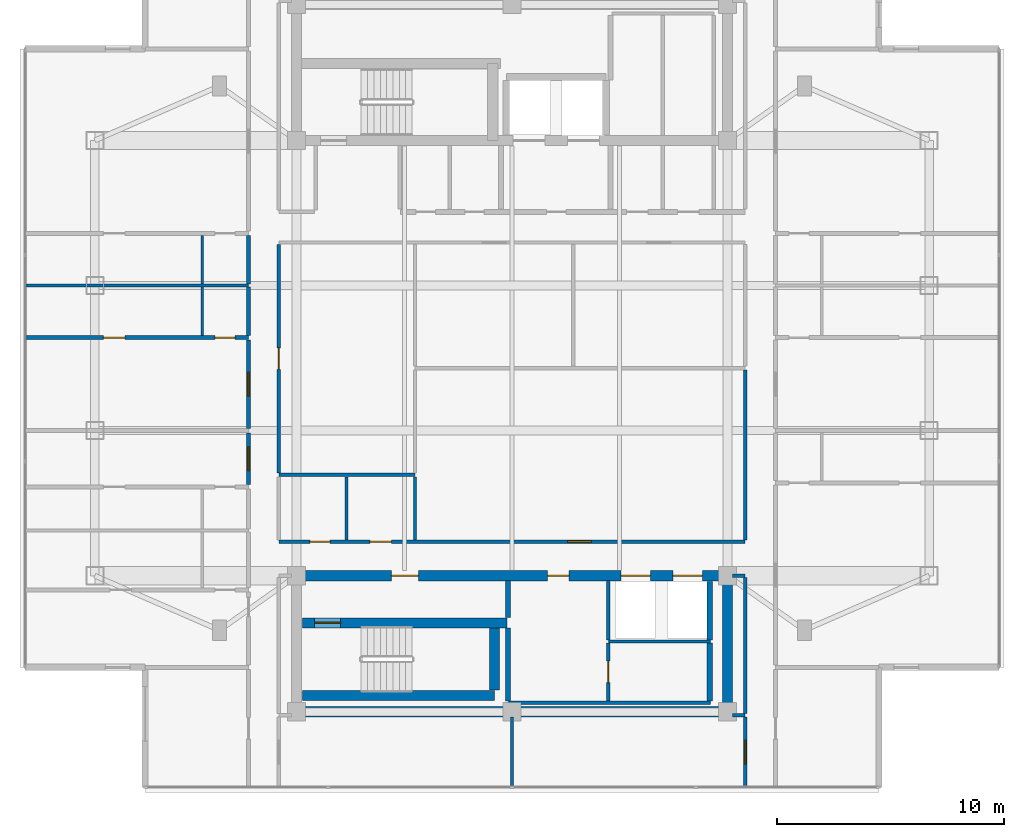
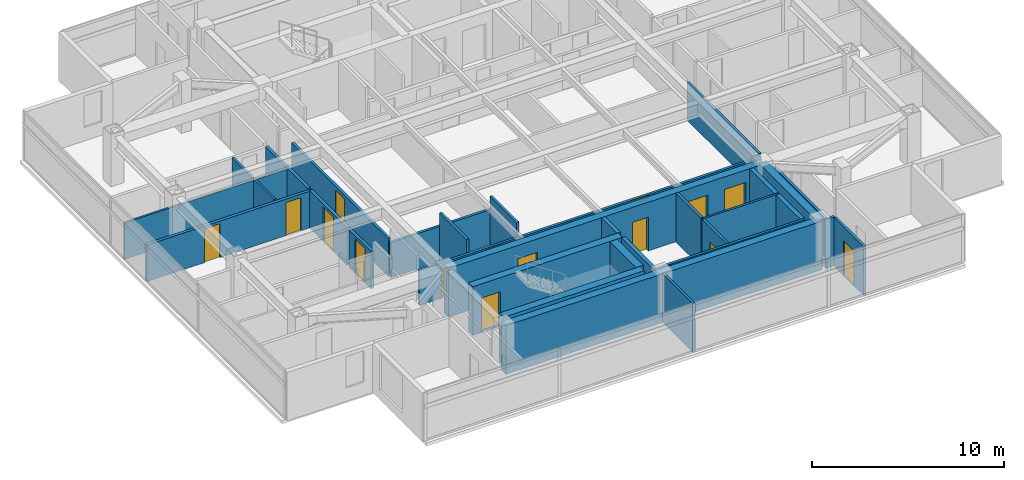
# One storey, part 8 of 14: 33 walls, 15 doors, 15 openings.
"""IFC4 building model written with IfcOpenShell, lengths in metres."""

import ifcopenshell
import ifcopenshell.guid

model = None  # the IFC model being written
_history = None  # IfcOwnerHistory: only IFC2X3 demands one
_inside = {}  # id of a spatial element -> (the spatial element, [elements in it])
_under = {}  # id of a project, library or spatial element -> (it, [spatial elements below it])
_declared = {}  # id of a project -> (the project, [libraries it declares])
_typed = {}  # id of a type object -> (the type object, [elements of that type])
_made_of = {}  # id of a material, layer set ... -> (it, [elements and type objects made of it])


def new_model(schema):
    """Start an empty IFC model of exactly this schema.

    Asked for "IFC4X3", IfcOpenShell would pick the latest addendum, in which some entities
    have other attributes; the version numbers below select the first issue.
    IFC2X3 requires an IfcOwnerHistory on every rooted entity: one is made here for all.
    """
    global model, _history
    if schema == "IFC4X3":
        model = ifcopenshell.file(schema_version=(4, 3, 0, 0))
    else:
        model = ifcopenshell.file(schema=schema)
    _inside.clear()
    _under.clear()
    _declared.clear()
    _typed.clear()
    _made_of.clear()
    _history = None
    if model.schema == "IFC2X3":
        org = make("IfcOrganization", Name="unknown")
        user = make(
            "IfcPersonAndOrganization",
            ThePerson=make("IfcPerson", FamilyName="unknown"),
            TheOrganization=org,
        )
        app = make(
            "IfcApplication",
            ApplicationDeveloper=org,
            Version="unknown",
            ApplicationFullName="unknown",
            ApplicationIdentifier="unknown",
        )
        _history = make(
            "IfcOwnerHistory",
            OwningUser=user,
            OwningApplication=app,
            ChangeAction="ADDED",
            CreationDate=0,
        )
    return model


def make(cls, **values):
    """One entity of the class cls with the attributes given. An attribute that is None is left unset."""
    return model.create_entity(
        cls, **{name: value for name, value in values.items() if value is not None}
    )


def rooted(cls, **values):
    """An entity with a GlobalId (a new one), such as an element, a storey or a relation."""
    return make(cls, GlobalId=ifcopenshell.guid.new(), OwnerHistory=_history, **values)


def si_unit(unit_type, name, prefix=None):
    """IfcSIUnit, for example si_unit("LENGTHUNIT", "METRE", prefix="MILLI")."""
    return make("IfcSIUnit", UnitType=unit_type, Prefix=prefix, Name=name)


def assignment(units):
    """IfcUnitAssignment: the units of a project."""
    return None if units is None else make("IfcUnitAssignment", Units=units)


def point(xyz):
    """IfcCartesianPoint."""
    return None if xyz is None else make("IfcCartesianPoint", Coordinates=xyz)


def direction(xyz):
    """IfcDirection."""
    return None if xyz is None else make("IfcDirection", DirectionRatios=xyz)


def frame(location, z_axis=None, x_axis=None):
    """IfcAxis2Placement3D, a coordinate frame: its origin and axes. An axis left out is left unset."""
    return make(
        "IfcAxis2Placement3D",
        Location=point(location),
        Axis=direction(z_axis),
        RefDirection=direction(x_axis),
    )


def frame_2d(location, x_axis=None):
    """IfcAxis2Placement2D, a coordinate frame in the plane: its origin and x axis."""
    return make(
        "IfcAxis2Placement2D", Location=point(location), RefDirection=direction(x_axis)
    )


def origin():
    """The frame at (0, 0, 0) with its axes left unset."""
    return frame((0.0, 0.0, 0.0))


def place(relative_to, where):
    """IfcLocalPlacement: puts the frame where relative to a parent placement (None: the world)."""
    return make(
        "IfcLocalPlacement", PlacementRelTo=relative_to, RelativePlacement=where
    )


def context(
    kind, dimensions, precision=None, world=None, true_north=None, identifier=None
):
    """IfcGeometricRepresentationContext, for example the 3D "Model" context."""
    return make(
        "IfcGeometricRepresentationContext",
        ContextIdentifier=identifier,
        ContextType=kind,
        CoordinateSpaceDimension=dimensions,
        Precision=precision,
        WorldCoordinateSystem=world,
        TrueNorth=true_north,
    )


def subcontext(parent, identifier, kind, view, scale=None):
    """IfcGeometricRepresentationSubContext, for example "Body" below "Model"."""
    return make(
        "IfcGeometricRepresentationSubContext",
        ContextIdentifier=identifier,
        ContextType=kind,
        ParentContext=parent,
        TargetScale=scale,
        TargetView=view,
    )


def project(units=None, contexts=None):
    """IfcProject with its units and contexts."""
    return rooted(
        "IfcProject",
        Name="project",
        RepresentationContexts=contexts,
        UnitsInContext=assignment(units),
    )


def spatial(cls, under=None, at=None, **own):
    """A site, building, storey or space (cls), placed at a placement, below another one or the project."""
    s = rooted(cls, ObjectPlacement=at, **own)
    if under is not None:
        _under.setdefault(under.id(), (under, []))[1].append(s)
    return s


def profile(cls, at=None, kind="AREA", **sizes):
    """A parametric profile (cls). Its sizes go by their IFC names, for example OverallWidth=200.0."""
    return make(cls, ProfileType=kind, Position=at, **sizes)


def rectangle(**sizes):
    """IfcRectangleProfileDef."""
    return profile("IfcRectangleProfileDef", **sizes)


def extrude(swept, where, along, depth):
    """IfcExtrudedAreaSolid: the profile swept, set in the frame where, extruded along a direction by depth."""
    return make(
        "IfcExtrudedAreaSolid",
        SweptArea=swept,
        Position=where,
        ExtrudedDirection=direction(along),
        Depth=depth,
    )


def shape(context_of_items, identifier, shape_type, items):
    """IfcShapeRepresentation: the items that make up one representation, for example the "Body"."""
    return make(
        "IfcShapeRepresentation",
        ContextOfItems=context_of_items,
        RepresentationIdentifier=identifier,
        RepresentationType=shape_type,
        Items=items,
    )


def material(Name=None, Category=None):
    """IfcMaterial."""
    return make("IfcMaterial", Name=Name, Category=Category)


def layer(
    of_material, thickness, ventilated=None, Name=None, Category=None, Priority=None
):
    """IfcMaterialLayer: one layer of a wall or slab, of a material (None: an air gap)."""
    return make(
        "IfcMaterialLayer",
        Material=of_material,
        LayerThickness=thickness,
        IsVentilated=ventilated,
        Name=Name,
        Category=Category,
        Priority=Priority,
    )


def layer_set(layers, Name=None):
    """IfcMaterialLayerSet."""
    return make("IfcMaterialLayerSet", MaterialLayers=layers, LayerSetName=Name)


def made_of(thing, what):
    """Note that an element or type object is made of a material, layer set ...; save() writes the relation."""
    if what is not None:
        _made_of.setdefault(what.id(), (what, []))[1].append(thing)
    return thing


def type_object(cls, material=None, **own):
    """A type object (cls), such as IfcWallType, which elements share."""
    return made_of(rooted(cls, **own), material)


def element(
    cls,
    number,
    at=None,
    inside=None,
    cuts=None,
    type_object=None,
    material=None,
    context=None,
    identifier="Body",
    shape_type=None,
    held_by="IfcProductDefinitionShape",
    body=None,
    shapes=None,
    **own,
):
    """One element of the class cls, such as IfcWall. Its Tag is "e" and its number.

    at: its placement. inside: the storey or other place that contains it. cuts: it is an
    opening in that element (IfcRelVoidsElement). A single representation is given by context,
    identifier, shape_type and body (its items); several are given by shapes. held_by: the class
    of the entity that holds the representations. save() writes the other relations.
    """
    e = rooted(cls, Tag="e%d" % number, ObjectPlacement=at, **own)
    if body is not None:
        shapes = [shape(context, identifier, shape_type, body)]
    if shapes is not None:
        e.Representation = make(held_by, Representations=shapes)
    if inside is not None:
        _inside.setdefault(inside.id(), (inside, []))[1].append(e)
    if cuts is not None:
        rooted(
            "IfcRelVoidsElement", RelatingBuildingElement=cuts, RelatedOpeningElement=e
        )
    if type_object is not None:
        _typed.setdefault(type_object.id(), (type_object, []))[1].append(e)
    return made_of(e, material)


def fill(opening, filler):
    """IfcRelFillsElement: the door or window that sits in an opening."""
    return rooted(
        "IfcRelFillsElement",
        RelatingOpeningElement=opening,
        RelatedBuildingElement=filler,
    )


def aggregate(whole, parts):
    """IfcRelAggregates: a whole, such as a stair, and the parts it consists of."""
    return rooted("IfcRelAggregates", RelatingObject=whole, RelatedObjects=parts)


def save(model, path):
    """Write the relations noted so far, then the file.

    IfcRelAggregates (storeys below a building ...), IfcRelContainedInSpatialStructure (elements
    in a storey), IfcRelDefinesByType, IfcRelAssociatesMaterial and IfcRelDeclares: one each for
    every whole, place, type object, material and project.
    """
    for whole, parts in _under.values():
        aggregate(whole, parts)
    for where, things in _inside.values():
        rooted(
            "IfcRelContainedInSpatialStructure",
            RelatedElements=things,
            RelatingStructure=where,
        )
    for kind, things in _typed.values():
        rooted("IfcRelDefinesByType", RelatedObjects=things, RelatingType=kind)
    for what, things in _made_of.values():
        rooted("IfcRelAssociatesMaterial", RelatedObjects=things, RelatingMaterial=what)
    for by, libraries in _declared.values():
        rooted("IfcRelDeclares", RelatingContext=by, RelatedDefinitions=libraries)
    model.write(path)


model = new_model("IFC4")

# Units and contexts
model_context = context("Model", 3, precision=1e-05, world=origin(), true_north=direction((0.0, 1.0)))
body_context = subcontext(model_context, "Body", "Model", "MODEL_VIEW")
ifc_project = project(units=[si_unit("LENGTHUNIT", "METRE"), si_unit("AREAUNIT", "SQUARE_METRE"), si_unit("VOLUMEUNIT", "CUBIC_METRE"), si_unit("PLANEANGLEUNIT", "RADIAN"), si_unit("MASSUNIT", "GRAM", prefix="KILO")], contexts=[model_context])

# Site, building, storey
site_placement = place(None, origin())
site = spatial("IfcSite", under=ifc_project, at=site_placement, CompositionType="ELEMENT")
building_placement = place(site_placement, origin())
building = spatial("IfcBuilding", under=site, at=building_placement, Name="Mirazonda Arch Towers", CompositionType="ELEMENT")
storey_placement = place(building_placement, frame((0.0, 0.0, 235.89990234375)))
storey = spatial("IfcBuildingStorey", under=building, at=storey_placement, Name="L67", CompositionType="ELEMENT", Elevation=235.89990234375)

# Walls
ifc_material_1 = material(Name="Concrete C50/60", Category="concrete")
ifc_layer_1 = layer(ifc_material_1, 0.449951171875, Name="WALL-CORE-450")
ifc_layer_set_1 = layer_set([ifc_layer_1], Name="Concrete C50/60")
wall_type_1 = type_object("IfcWallType", Name="WALL-CORE-450", PredefinedType="SHEAR", material=ifc_layer_set_1)
wall_1_placement = place(storey_placement, frame((11.0, 12.39990234375, 0.0), z_axis=(0.0, 0.0, 1.0), x_axis=(1.0, 0.0, 0.0)))
element("IfcWall", 1, at=wall_1_placement, inside=storey, type_object=wall_type_1, Name="L67 T1S-S Core Shear Wall", PredefinedType="SHEAR", context=body_context, shape_type="SweptSolid", body=[
    extrude(rectangle(XDim=19.0, YDim=0.449951171875, at=frame_2d((9.5, 0.0))), origin(), (0.0, 0.0, 1.0), 3.10009765625),
])
wall_2_placement = place(storey_placement, frame((30.0, 12.39990234375, 0.0), z_axis=(0.0, 0.0, 1.0), x_axis=(0.0, 1.0, 0.0)))
element("IfcWall", 2, at=wall_2_placement, inside=storey, type_object=wall_type_1, Name="L67 T1S-E Core Shear Wall", PredefinedType="SHEAR", context=body_context, shape_type="SweptSolid", body=[
    extrude(rectangle(XDim=6.0, YDim=0.449951171875, at=frame_2d((3.0, 0.0))), origin(), (0.0, 0.0, 1.0), 3.10009765625),
])

# Wall, openings, doors
wall_3_placement = place(storey_placement, frame((11.0, 18.39990234375, 0.0), z_axis=(0.0, 0.0, 1.0), x_axis=(1.0, 0.0, 0.0)))
wall_3 = element("IfcWall", 3, at=wall_3_placement, inside=storey, type_object=wall_type_1, Name="L67 T1S-N Core Shear Wall", PredefinedType="SHEAR", context=body_context, shape_type="SweptSolid", body=[
    extrude(rectangle(XDim=19.0, YDim=0.449951171875, at=frame_2d((9.5, 0.0))), origin(), (0.0, 0.0, 1.0), 3.10009765625),
])
opening_1_placement = place(wall_3_placement, frame((4.175048828125, 0.0, 0.0)))
opening_1 = element("IfcOpeningElement", 4, at=opening_1_placement, cuts=wall_3, Name="Opening DR-117", PredefinedType="OPENING", context=body_context, shape_type="SweptSolid", body=[
    extrude(rectangle(XDim=1.199951171875, YDim=2.25, at=frame_2d((0.60009765625, 1.125))), frame((0.0, 0.23486328125, 0.0), z_axis=(0.0, -1.0, 0.0), x_axis=(1.0, 0.0, 0.0)), (0.0, 0.0, 1.0), 0.469970703125),
])
opening_2_placement = place(wall_3_placement, frame((11.074951171875, 0.0, 0.0)))
opening_2 = element("IfcOpeningElement", 5, at=opening_2_placement, cuts=wall_3, Name="Opening DR-104", PredefinedType="OPENING", context=body_context, shape_type="SweptSolid", body=[
    extrude(rectangle(XDim=0.949951171875, YDim=2.14990234375, at=frame_2d((0.47509765625, 1.074951171875))), frame((0.0, 0.23486328125, 0.0), z_axis=(0.0, -1.0, 0.0), x_axis=(1.0, 0.0, 0.0)), (0.0, 0.0, 1.0), 0.469970703125),
])
opening_3_placement = place(wall_3_placement, frame((14.300048828125, 0.0, 0.0)))
opening_3 = element("IfcOpeningElement", 6, at=opening_3_placement, cuts=wall_3, Name="Opening LD-111", PredefinedType="OPENING", context=body_context, shape_type="SweptSolid", body=[
    extrude(rectangle(XDim=1.300048828125, YDim=2.300048828125, at=frame_2d((0.64990234375, 1.14990234375))), frame((0.0, 0.23486328125, 0.0), z_axis=(0.0, -1.0, 0.0), x_axis=(1.0, 0.0, 0.0)), (0.0, 0.0, 1.0), 0.469970703125),
])
opening_4_placement = place(wall_3_placement, frame((16.60009765625, 0.0, 0.0)))
opening_4 = element("IfcOpeningElement", 7, at=opening_4_placement, cuts=wall_3, Name="Opening LD-111", PredefinedType="OPENING", context=body_context, shape_type="SweptSolid", body=[
    extrude(rectangle(XDim=1.300048828125, YDim=2.300048828125, at=frame_2d((0.64990234375, 1.14990234375))), frame((0.0, 0.23486328125, 0.0), z_axis=(0.0, -1.0, 0.0), x_axis=(1.0, 0.0, 0.0)), (0.0, 0.0, 1.0), 0.469970703125),
])
ifc_material_2 = material(Name="Architectural Brushed Steel S355", Category="steel")
door_type_1 = type_object("IfcDoorType", Name="DOOR-FFL-FD90-1200", OperationType="NOTDEFINED", PredefinedType="DOOR", material=ifc_material_2)
door_1_placement = place(opening_1_placement, origin())
door_1 = element("IfcDoor", 8, at=door_1_placement, inside=storey, type_object=door_type_1, Name="L67 South Core Stair & Lift Lobby Door", OperationType="SINGLE_SWING_LEFT", OverallHeight=2.25, OverallWidth=1.199951171875, PredefinedType="DOOR", context=body_context, shape_type="SweptSolid", body=[
    extrude(rectangle(XDim=1.199951171875, YDim=2.25, at=frame_2d((0.60009765625, 1.125))), frame((0.0, 0.02490234375, 0.0), z_axis=(0.0, -1.0, 0.0), x_axis=(1.0, 0.0, 0.0)), (0.0, 0.0, 1.0), 0.050048828125),
])
fill(opening_1, door_1)
door_type_2 = type_object("IfcDoorType", Name="DOOR-LIFT-LAND-1300", OperationType="NOTDEFINED", PredefinedType="DOOR", material=ifc_material_2)
door_2_placement = place(opening_3_placement, origin())
door_2 = element("IfcDoor", 9, at=door_2_placement, inside=storey, type_object=door_type_2, Name="L67 Lift Landing Sliding Door PL-T1H1", OperationType="DOUBLE_DOOR_SLIDING", OverallHeight=2.300048828125, OverallWidth=1.300048828125, PredefinedType="DOOR", context=body_context, shape_type="SweptSolid", body=[
    extrude(rectangle(XDim=1.300048828125, YDim=2.300048828125, at=frame_2d((0.64990234375, 1.14990234375))), frame((0.0, 0.02490234375, 0.0), z_axis=(0.0, -1.0, 0.0), x_axis=(1.0, 0.0, 0.0)), (0.0, 0.0, 1.0), 0.050048828125),
])
fill(opening_3, door_2)
door_3_placement = place(opening_4_placement, origin())
door_3 = element("IfcDoor", 10, at=door_3_placement, inside=storey, type_object=door_type_2, Name="L67 Lift Landing Sliding Door PL-T1H2", OperationType="DOUBLE_DOOR_SLIDING", OverallHeight=2.300048828125, OverallWidth=1.300048828125, PredefinedType="DOOR", context=body_context, shape_type="SweptSolid", body=[
    extrude(rectangle(XDim=1.300048828125, YDim=2.300048828125, at=frame_2d((0.64990234375, 1.14990234375))), frame((0.0, 0.02490234375, 0.0), z_axis=(0.0, -1.0, 0.0), x_axis=(1.0, 0.0, 0.0)), (0.0, 0.0, 1.0), 0.050048828125),
])
fill(opening_4, door_3)
door_type_3 = type_object("IfcDoorType", Name="DOOR-ROOM-950", OperationType="NOTDEFINED", PredefinedType="DOOR", material=ifc_material_2)
door_4_placement = place(opening_2_placement, origin())
door_4 = element("IfcDoor", 11, at=door_4_placement, inside=storey, type_object=door_type_3, Name="L67 Residents Wine Tasting Lounge Door", OperationType="SINGLE_SWING_LEFT", OverallHeight=2.14990234375, OverallWidth=0.949951171875, PredefinedType="DOOR", context=body_context, shape_type="SweptSolid", body=[
    extrude(rectangle(XDim=0.949951171875, YDim=2.14990234375, at=frame_2d((0.47509765625, 1.074951171875))), frame((0.0, 0.02490234375, 0.0), z_axis=(0.0, -1.0, 0.0), x_axis=(1.0, 0.0, 0.0)), (0.0, 0.0, 1.0), 0.050048828125),
])
fill(opening_2, door_4)

# Wall
wall_4_placement = place(storey_placement, frame((11.27001953125, 13.1201171875, 0.0), z_axis=(0.0, 0.0, 1.0), x_axis=(1.0, 0.0, 0.0)))
element("IfcWall", 12, at=wall_4_placement, inside=storey, type_object=wall_type_1, Name="L67 Stair Core Shear Wall 004", PredefinedType="SHEAR", context=body_context, shape_type="SweptSolid", body=[
    extrude(rectangle(XDim=8.4599609375, YDim=0.449951171875, at=frame_2d((4.22998046875, 0.0))), origin(), (0.0, 0.0, 1.0), 3.10009765625),
])

# Wall, opening, door
wall_5_placement = place(storey_placement, frame((11.27001953125, 16.320068359375, 0.0), z_axis=(0.0, 0.0, 1.0), x_axis=(1.0, 0.0, 0.0)))
wall_5 = element("IfcWall", 13, at=wall_5_placement, inside=storey, type_object=wall_type_1, Name="L67 Stair Core Shear Wall 008", PredefinedType="SHEAR", context=body_context, shape_type="SweptSolid", body=[
    extrude(rectangle(XDim=9.010009765625, YDim=0.449951171875, at=frame_2d((4.5048828125, 0.0))), origin(), (0.0, 0.0, 1.0), 3.10009765625),
])
opening_5_placement = place(wall_5_placement, frame((0.52001953125, 0.0, 0.0)))
opening_5 = element("IfcOpeningElement", 14, at=opening_5_placement, cuts=wall_5, Name="Opening DR-135", PredefinedType="OPENING", context=body_context, shape_type="SweptSolid", body=[
    extrude(rectangle(XDim=1.14990234375, YDim=2.199951171875, at=frame_2d((0.574951171875, 1.10009765625))), frame((0.0, 0.23486328125, 0.0), z_axis=(0.0, -1.0, 0.0), x_axis=(1.0, 0.0, 0.0)), (0.0, 0.0, 1.0), 0.469970703125),
])
door_type_4 = type_object("IfcDoorType", Name="DOOR-STAIR-FD90-1150", OperationType="NOTDEFINED", PredefinedType="DOOR", material=ifc_material_2)
door_5_placement = place(opening_5_placement, origin())
door_5 = element("IfcDoor", 15, at=door_5_placement, inside=storey, type_object=door_type_4, Name="L67 Protected Exit Stair South Door", OperationType="SINGLE_SWING_RIGHT", OverallHeight=2.199951171875, OverallWidth=1.14990234375, PredefinedType="DOOR", context=body_context, shape_type="SweptSolid", body=[
    extrude(rectangle(XDim=1.14990234375, YDim=2.199951171875, at=frame_2d((0.574951171875, 1.10009765625))), frame((0.0, 0.02490234375, 0.0), z_axis=(0.0, -1.0, 0.0), x_axis=(1.0, 0.0, 0.0)), (0.0, 0.0, 1.0), 0.050048828125),
])
fill(opening_5, door_5)

# Walls
wall_6_placement = place(storey_placement, frame((19.72998046875, 13.35498046875, 0.0), z_axis=(0.0, 0.0, 1.0), x_axis=(0.0, 1.0, 0.0)))
element("IfcWall", 16, at=wall_6_placement, inside=storey, type_object=wall_type_1, Name="L67 Stair Core Shear Wall 062", PredefinedType="SHEAR", context=body_context, shape_type="SweptSolid", body=[
    extrude(rectangle(XDim=2.72998046875, YDim=0.449951171875, at=frame_2d((1.364990234375, 0.0))), origin(), (0.0, 0.0, 1.0), 3.10009765625),
])
ifc_material_3 = material(Name="Concrete C40/50", Category="concrete")
ifc_layer_2 = layer(ifc_material_3, 0.219970703125, Name="WALL-FFL-220")
ifc_layer_set_2 = layer_set([ifc_layer_2], Name="Concrete C40/50")
wall_type_2 = type_object("IfcWallType", Name="WALL-FFL-220", PredefinedType="SOLIDWALL", material=ifc_layer_set_2)
wall_7_placement = place(storey_placement, frame((20.31494140625, 12.885009765625, 0.0), z_axis=(0.0, 0.0, 1.0), x_axis=(0.0, 1.0, 0.0)))
element("IfcWall", 17, at=wall_7_placement, inside=storey, type_object=wall_type_2, Name="L67 Interior Partition 064", PredefinedType="SOLIDWALL", context=body_context, shape_type="SweptSolid", body=[
    extrude(rectangle(XDim=3.199951171875, YDim=0.219970703125, at=frame_2d((1.60009765625, 0.0))), origin(), (0.0, 0.0, 1.0), 3.10009765625),
])
wall_8_placement = place(storey_placement, frame((20.31494140625, 16.554931640625, 0.0), z_axis=(0.0, 0.0, 1.0), x_axis=(0.0, 1.0, 0.0)))
element("IfcWall", 18, at=wall_8_placement, inside=storey, type_object=wall_type_2, Name="L67 Interior Partition 065", PredefinedType="SOLIDWALL", context=body_context, shape_type="SweptSolid", body=[
    extrude(rectangle(XDim=1.625, YDim=0.219970703125, at=frame_2d((0.8125, 0.0))), origin(), (0.0, 0.0, 1.0), 3.10009765625),
])
ifc_material_4 = material(Name="Fire-Rated Gypsum Stud Partition")
ifc_layer_3 = layer(ifc_material_4, 0.14990234375, Name="WALL-PART-CORR-150")
ifc_layer_set_3 = layer_set([ifc_layer_3], Name="Fire-Rated Gypsum Stud Partition")
wall_type_3 = type_object("IfcWallType", Name="WALL-PART-CORR-150", PredefinedType="PARTITIONING", material=ifc_layer_set_3)
wall_9_placement = place(storey_placement, frame((30.219970703125, 12.25, 0.0), z_axis=(0.0, 0.0, 1.0), x_axis=(1.0, 0.0, 0.0)))
element("IfcWall", 19, at=wall_9_placement, inside=storey, type_object=wall_type_3, Name="L67 Interior Partition 002", PredefinedType="PARTITIONING", context=body_context, shape_type="SweptSolid", body=[
    extrude(rectangle(XDim=0.56005859375, YDim=0.14990234375, at=frame_2d((0.280029296875, 0.0))), origin(), (0.0, 0.0, 1.0), 3.10009765625),
])
wall_10_placement = place(storey_placement, frame((20.35009765625, 12.800048828125, 0.0), z_axis=(0.0, 0.0, 1.0), x_axis=(1.0, 0.0, 0.0)))
element("IfcWall", 20, at=wall_10_placement, inside=storey, type_object=wall_type_3, Name="L67 Interior Partition 003", PredefinedType="PARTITIONING", context=body_context, shape_type="SweptSolid", body=[
    extrude(rectangle(XDim=8.89990234375, YDim=0.14990234375, at=frame_2d((4.449951171875, 0.0))), origin(), (0.0, 0.0, 1.0), 3.10009765625),
])
wall_11_placement = place(storey_placement, frame((30.219970703125, 18.39990234375, 0.0), z_axis=(0.0, 0.0, 1.0), x_axis=(1.0, 0.0, 0.0)))
element("IfcWall", 21, at=wall_11_placement, inside=storey, type_object=wall_type_3, Name="L67 Interior Partition 011", PredefinedType="PARTITIONING", context=body_context, shape_type="SweptSolid", body=[
    extrude(rectangle(XDim=0.56005859375, YDim=0.14990234375, at=frame_2d((0.280029296875, 0.0))), origin(), (0.0, 0.0, 1.0), 2.4921875),
])

# Wall, openings, doors
wall_12_placement = place(storey_placement, frame((10.219970703125, 19.89990234375, 0.0), z_axis=(0.0, 0.0, 1.0), x_axis=(1.0, 0.0, 0.0)))
wall_12 = element("IfcWall", 22, at=wall_12_placement, inside=storey, type_object=wall_type_3, Name="L67 Interior Partition 012", PredefinedType="PARTITIONING", context=body_context, shape_type="SweptSolid", body=[
    extrude(rectangle(XDim=20.56005859375, YDim=0.14990234375, at=frame_2d((10.280029296875, 0.0))), origin(), (0.0, 0.0, 1.0), 2.236083984375),
])
opening_6_placement = place(wall_12_placement, frame((1.360107421875, 0.0, 0.0)))
opening_6 = element("IfcOpeningElement", 23, at=opening_6_placement, cuts=wall_12, Name="Opening DR-120", PredefinedType="OPENING", context=body_context, shape_type="SweptSolid", body=[
    extrude(rectangle(XDim=0.89990234375, YDim=2.10009765625, at=frame_2d((0.449951171875, 1.050048828125))), frame((0.0, 0.0849609375, 0.0), z_axis=(0.0, -1.0, 0.0), x_axis=(1.0, 0.0, 0.0)), (0.0, 0.0, 1.0), 0.169921875),
])
opening_7_placement = place(wall_12_placement, frame((4.014892578125, 0.0, 0.0)))
opening_7 = element("IfcOpeningElement", 24, at=opening_7_placement, cuts=wall_12, Name="Opening DR-104", PredefinedType="OPENING", context=body_context, shape_type="SweptSolid", body=[
    extrude(rectangle(XDim=0.949951171875, YDim=2.14990234375, at=frame_2d((0.47509765625, 1.074951171875))), frame((0.0, 0.0849609375, 0.0), z_axis=(0.0, -1.0, 0.0), x_axis=(1.0, 0.0, 0.0)), (0.0, 0.0, 1.0), 0.169921875),
])
opening_8_placement = place(wall_12_placement, frame((12.735107421875, 0.0, 0.0)))
opening_8 = element("IfcOpeningElement", 25, at=opening_8_placement, cuts=wall_12, Name="Opening DR-121", PredefinedType="OPENING", context=body_context, shape_type="SweptSolid", body=[
    extrude(rectangle(XDim=1.050048828125, YDim=2.199951171875, at=frame_2d((0.52490234375, 1.10009765625))), frame((0.0, 0.0849609375, 0.0), z_axis=(0.0, -1.0, 0.0), x_axis=(1.0, 0.0, 0.0)), (0.0, 0.0, 1.0), 0.169921875),
])
door_6_placement = place(opening_7_placement, origin())
door_6 = element("IfcDoor", 26, at=door_6_placement, inside=storey, type_object=door_type_3, Name="L67 L67 West Courtyard Study Door", OperationType="SINGLE_SWING_LEFT", OverallHeight=2.14990234375, OverallWidth=0.949951171875, PredefinedType="DOOR", context=body_context, shape_type="SweptSolid", body=[
    extrude(rectangle(XDim=0.949951171875, YDim=2.14990234375, at=frame_2d((0.47509765625, 1.074951171875))), frame((0.0, 0.02490234375, 0.0), z_axis=(0.0, -1.0, 0.0), x_axis=(1.0, 0.0, 0.0)), (0.0, 0.0, 1.0), 0.050048828125),
])
fill(opening_7, door_6)
door_type_5 = type_object("IfcDoorType", Name="DOOR-SUITE-FD60-1050", OperationType="NOTDEFINED", PredefinedType="DOOR", material=ifc_material_2)
door_7_placement = place(opening_8_placement, origin())
door_7 = element("IfcDoor", 27, at=door_7_placement, inside=storey, type_object=door_type_5, Name="L67 Executive Club Lounge Door", OperationType="SINGLE_SWING_LEFT", OverallHeight=2.199951171875, OverallWidth=1.050048828125, PredefinedType="DOOR", context=body_context, shape_type="SweptSolid", body=[
    extrude(rectangle(XDim=1.050048828125, YDim=2.199951171875, at=frame_2d((0.52490234375, 1.10009765625))), frame((0.0, 0.02490234375, 0.0), z_axis=(0.0, -1.0, 0.0), x_axis=(1.0, 0.0, 0.0)), (0.0, 0.0, 1.0), 0.050048828125),
])
fill(opening_8, door_7)
door_type_6 = type_object("IfcDoorType", Name="DOOR-WC-900", OperationType="NOTDEFINED", PredefinedType="DOOR", material=ifc_material_2)
door_8_placement = place(opening_6_placement, origin())
door_8 = element("IfcDoor", 28, at=door_8_placement, inside=storey, type_object=door_type_6, Name="L67 Common Accessible WC Door", OperationType="SINGLE_SWING_LEFT", OverallHeight=2.10009765625, OverallWidth=0.89990234375, PredefinedType="DOOR", context=body_context, shape_type="SweptSolid", body=[
    extrude(rectangle(XDim=0.89990234375, YDim=2.10009765625, at=frame_2d((0.449951171875, 1.050048828125))), frame((0.0, 0.02490234375, 0.0), z_axis=(0.0, -1.0, 0.0), x_axis=(1.0, 0.0, 0.0)), (0.0, 0.0, 1.0), 0.050048828125),
])
fill(opening_6, door_8)

# Wall
wall_13_placement = place(storey_placement, frame((10.219970703125, 22.85009765625, 0.0), z_axis=(0.0, 0.0, 1.0), x_axis=(1.0, 0.0, 0.0)))
element("IfcWall", 29, at=wall_13_placement, inside=storey, type_object=wall_type_3, Name="L67 Interior Partition 016", PredefinedType="PARTITIONING", context=body_context, shape_type="SweptSolid", body=[
    extrude(rectangle(XDim=6.0, YDim=0.14990234375, at=frame_2d((3.0, 0.0))), origin(), (0.0, 0.0, 1.0), 2.236083984375),
])

# Wall, opening, door
wall_14_placement = place(storey_placement, frame((10.219970703125, 22.93505859375, 0.0), z_axis=(0.0, 0.0, 1.0), x_axis=(0.0, 1.0, 0.0)))
wall_14 = element("IfcWall", 30, at=wall_14_placement, inside=storey, type_object=wall_type_3, Name="L67 Interior Partition 052", PredefinedType="PARTITIONING", context=body_context, shape_type="SweptSolid", body=[
    extrude(rectangle(XDim=10.079833984375, YDim=0.14990234375, at=frame_2d((5.0400390625, 0.0))), origin(), (0.0, 0.0, 1.0), 2.39599609375),
])
opening_9_placement = place(wall_14_placement, frame((4.56494140625, 0.0, 0.0)))
opening_9 = element("IfcOpeningElement", 31, at=opening_9_placement, cuts=wall_14, Name="Opening DR-104", PredefinedType="OPENING", context=body_context, shape_type="SweptSolid", body=[
    extrude(rectangle(XDim=0.949951171875, YDim=2.14990234375, at=frame_2d((0.47509765625, 1.074951171875))), frame((0.0, 0.0849609375, 0.0), z_axis=(0.0, -1.0, 0.0), x_axis=(1.0, 0.0, 0.0)), (0.0, 0.0, 1.0), 0.169921875),
])
door_9_placement = place(opening_9_placement, origin())
door_9 = element("IfcDoor", 32, at=door_9_placement, inside=storey, type_object=door_type_3, Name="L67 L67 West Courtyard Salon Door", OperationType="SINGLE_SWING_RIGHT", OverallHeight=2.14990234375, OverallWidth=0.949951171875, PredefinedType="DOOR", context=body_context, shape_type="SweptSolid", body=[
    extrude(rectangle(XDim=0.949951171875, YDim=2.14990234375, at=frame_2d((0.47509765625, 1.074951171875))), frame((0.0, 0.02490234375, 0.0), z_axis=(0.0, -1.0, 0.0), x_axis=(1.0, 0.0, 0.0)), (0.0, 0.0, 1.0), 0.050048828125),
])
fill(opening_9, door_9)

# Walls
for number, where, z_axis, x_axis, name in (
    (33, (13.199951171875, 19.985107421875, 0.0), (0.0, 0.0, 1.0), (0.0, 1.0, 0.0), "L67 Interior Partition 056"),
    (34, (16.219970703125, 19.985107421875, 0.0), (0.0, 0.0, 1.0), (0.0, 1.0, 0.0), "L67 Interior Partition 058"),
):
    element("IfcWall", number, at=place(storey_placement, frame(where, z_axis=z_axis, x_axis=x_axis)), inside=storey, type_object=wall_type_3, Name=name, PredefinedType="PARTITIONING", context=body_context, shape_type="SweptSolid", body=[
        extrude(rectangle(XDim=2.77978515625, YDim=0.14990234375, at=frame_2d((1.389892578125, 0.0))), origin(), (0.0, 0.0, 1.0), 3.10009765625),
    ])
wall_15_placement = place(storey_placement, frame((20.5, 9.070068359375, 0.0), z_axis=(0.0, 0.0, 1.0), x_axis=(0.0, 1.0, 0.0)))
element("IfcWall", 35, at=wall_15_placement, inside=storey, type_object=wall_type_3, Name="L67 Interior Partition 067", PredefinedType="PARTITIONING", context=body_context, shape_type="SweptSolid", body=[
    extrude(rectangle(XDim=3.10986328125, YDim=0.14990234375, at=frame_2d((1.554931640625, 0.0))), origin(), (0.0, 0.0, 1.0), 3.10009765625),
])

# Wall, opening, door
wall_16_placement = place(storey_placement, frame((24.75, 12.885009765625, 0.0), z_axis=(0.0, 0.0, 1.0), x_axis=(0.0, 1.0, 0.0)))
wall_16 = element("IfcWall", 36, at=wall_16_placement, inside=storey, type_object=wall_type_3, Name="L67 Interior Partition 070", PredefinedType="PARTITIONING", context=body_context, shape_type="SweptSolid", body=[
    extrude(rectangle(XDim=2.54248046875, YDim=0.14990234375, at=frame_2d((1.271240234375, 0.0))), origin(), (0.0, 0.0, 1.0), 3.10009765625),
])
opening_10_placement = place(wall_16_placement, frame((0.79638671875, 0.0, 0.0)))
opening_10 = element("IfcOpeningElement", 37, at=opening_10_placement, cuts=wall_16, Name="Opening DR-104", PredefinedType="OPENING", context=body_context, shape_type="SweptSolid", body=[
    extrude(rectangle(XDim=0.949951171875, YDim=2.14990234375, at=frame_2d((0.47509765625, 1.074951171875))), frame((0.0, 0.0849609375, 0.0), z_axis=(0.0, -1.0, 0.0), x_axis=(1.0, 0.0, 0.0)), (0.0, 0.0, 1.0), 0.169921875),
])
door_10_placement = place(opening_10_placement, origin())
door_10 = element("IfcDoor", 38, at=door_10_placement, inside=storey, type_object=door_type_3, Name="L67 Residents Private Archive Study Door", OperationType="SINGLE_SWING_RIGHT", OverallHeight=2.14990234375, OverallWidth=0.949951171875, PredefinedType="DOOR", context=body_context, shape_type="SweptSolid", body=[
    extrude(rectangle(XDim=0.949951171875, YDim=2.14990234375, at=frame_2d((0.47509765625, 1.074951171875))), frame((0.0, 0.02490234375, 0.0), z_axis=(0.0, -1.0, 0.0), x_axis=(1.0, 0.0, 0.0)), (0.0, 0.0, 1.0), 0.050048828125),
])
fill(opening_10, door_10)

# Wall
wall_17_placement = place(storey_placement, frame((24.75, 15.572509765625, 0.0), z_axis=(0.0, 0.0, 1.0), x_axis=(0.0, 1.0, 0.0)))
element("IfcWall", 39, at=wall_17_placement, inside=storey, type_object=wall_type_3, Name="L67 Interior Partition 071", PredefinedType="PARTITIONING", context=body_context, shape_type="SweptSolid", body=[
    extrude(rectangle(XDim=2.607421875, YDim=0.14990234375, at=frame_2d((1.3037109375, 0.0))), origin(), (0.0, 0.0, 1.0), 3.10009765625),
])

# Wall, opening, door
wall_18_placement = place(storey_placement, frame((30.780029296875, 9.070068359375, 0.0), z_axis=(0.0, 0.0, 1.0), x_axis=(0.0, 1.0, 0.0)))
wall_18 = element("IfcWall", 40, at=wall_18_placement, inside=storey, type_object=wall_type_3, Name="L67 Interior Partition 081", PredefinedType="PARTITIONING", context=body_context, shape_type="SweptSolid", body=[
    extrude(rectangle(XDim=3.094970703125, YDim=0.14990234375, at=frame_2d((1.54736328125, 0.0))), origin(), (0.0, 0.0, 1.0), 3.10009765625),
])
opening_11_placement = place(wall_18_placement, frame((1.0224609375, 0.0, 0.0)))
opening_11 = element("IfcOpeningElement", 41, at=opening_11_placement, cuts=wall_18, Name="Opening DR-121", PredefinedType="OPENING", context=body_context, shape_type="SweptSolid", body=[
    extrude(rectangle(XDim=1.050048828125, YDim=2.199951171875, at=frame_2d((0.52490234375, 1.10009765625))), frame((0.0, 0.0849609375, 0.0), z_axis=(0.0, -1.0, 0.0), x_axis=(1.0, 0.0, 0.0)), (0.0, 0.0, 1.0), 0.169921875),
])
door_11_placement = place(opening_11_placement, origin())
door_11 = element("IfcDoor", 42, at=door_11_placement, inside=storey, type_object=door_type_5, Name="L67 South Horizon Lounge East Door", OperationType="SINGLE_SWING_LEFT", OverallHeight=2.199951171875, OverallWidth=1.050048828125, PredefinedType="DOOR", context=body_context, shape_type="SweptSolid", body=[
    extrude(rectangle(XDim=1.050048828125, YDim=2.199951171875, at=frame_2d((0.52490234375, 1.10009765625))), frame((0.0, 0.02490234375, 0.0), z_axis=(0.0, -1.0, 0.0), x_axis=(1.0, 0.0, 0.0)), (0.0, 0.0, 1.0), 0.050048828125),
])
fill(opening_11, door_11)

# Walls
wall_19_placement = place(storey_placement, frame((30.780029296875, 12.3349609375, 0.0), z_axis=(0.0, 0.0, 1.0), x_axis=(0.0, 1.0, 0.0)))
element("IfcWall", 43, at=wall_19_placement, inside=storey, type_object=wall_type_3, Name="L67 Interior Partition 082", PredefinedType="PARTITIONING", context=body_context, shape_type="SweptSolid", body=[
    extrude(rectangle(XDim=5.97998046875, YDim=0.14990234375, at=frame_2d((2.989990234375, 0.0))), origin(), (0.0, 0.0, 1.0), 2.4921875),
])
wall_20_placement = place(storey_placement, frame((30.780029296875, 19.985107421875, 0.0), z_axis=(0.0, 0.0, 1.0), x_axis=(0.0, 1.0, 0.0)))
element("IfcWall", 44, at=wall_20_placement, inside=storey, type_object=wall_type_3, Name="L67 Interior Partition 083", PredefinedType="PARTITIONING", context=body_context, shape_type="SweptSolid", body=[
    extrude(rectangle(XDim=7.48583984375, YDim=0.14990234375, at=frame_2d((3.742919921875, 0.0))), origin(), (0.0, 0.0, 1.0), 2.39599609375),
])

# Wall, openings, doors
ifc_material_5 = material(Name="Fire-Rated Gypsum Twin-Stud Assembly")
ifc_layer_4 = layer(ifc_material_5, 0.179931640625, Name="WALL-PART-DEMISE-180")
ifc_layer_set_4 = layer_set([ifc_layer_4], Name="Fire-Rated Gypsum Twin-Stud Assembly")
wall_type_4 = type_object("IfcWallType", Name="WALL-PART-DEMISE-180", PredefinedType="PARTITIONING", material=ifc_layer_set_4)
wall_21_placement = place(storey_placement, frame((-0.97998046875, 28.89990234375, 0.0), z_axis=(0.0, 0.0, 1.0), x_axis=(1.0, 0.0, 0.0)))
wall_21 = element("IfcWall", 45, at=wall_21_placement, inside=storey, type_object=wall_type_4, Name="L67 Interior Partition 020", PredefinedType="PARTITIONING", context=body_context, shape_type="SweptSolid", body=[
    extrude(rectangle(XDim=9.85986328125, YDim=0.179931640625, at=frame_2d((4.929931640625, 0.0))), origin(), (0.0, 0.0, 1.0), 2.319091796875),
])
opening_12_placement = place(wall_21_placement, frame((3.455078125, 0.0, 0.0)))
opening_12 = element("IfcOpeningElement", 46, at=opening_12_placement, cuts=wall_21, Name="Opening DR-104", PredefinedType="OPENING", context=body_context, shape_type="SweptSolid", body=[
    extrude(rectangle(XDim=0.949951171875, YDim=2.14990234375, at=frame_2d((0.47509765625, 1.074951171875))), frame((0.0, 0.099853515625, 0.0), z_axis=(0.0, -1.0, 0.0), x_axis=(1.0, 0.0, 0.0)), (0.0, 0.0, 1.0), 0.199951171875),
])
opening_13_placement = place(wall_21_placement, frame((8.3701171875, 0.0, 0.0)))
opening_13 = element("IfcOpeningElement", 47, at=opening_13_placement, cuts=wall_21, Name="Opening DR-120", PredefinedType="OPENING", context=body_context, shape_type="SweptSolid", body=[
    extrude(rectangle(XDim=0.89990234375, YDim=2.10009765625, at=frame_2d((0.449951171875, 1.050048828125))), frame((0.0, 0.099853515625, 0.0), z_axis=(0.0, -1.0, 0.0), x_axis=(1.0, 0.0, 0.0)), (0.0, 0.0, 1.0), 0.199951171875),
])
door_12_placement = place(opening_12_placement, origin())
door_12 = element("IfcDoor", 48, at=door_12_placement, inside=storey, type_object=door_type_3, Name="L67 Guestroom Study 3 Door", OperationType="SINGLE_SWING_LEFT", OverallHeight=2.14990234375, OverallWidth=0.949951171875, PredefinedType="DOOR", context=body_context, shape_type="SweptSolid", body=[
    extrude(rectangle(XDim=0.949951171875, YDim=2.14990234375, at=frame_2d((0.47509765625, 1.074951171875))), frame((0.0, 0.02490234375, 0.0), z_axis=(0.0, -1.0, 0.0), x_axis=(1.0, 0.0, 0.0)), (0.0, 0.0, 1.0), 0.050048828125),
])
fill(opening_12, door_12)
door_13_placement = place(opening_13_placement, origin())
door_13 = element("IfcDoor", 49, at=door_13_placement, inside=storey, type_object=door_type_6, Name="L67 En-Suite Bathroom 3 Door", OperationType="SINGLE_SWING_RIGHT", OverallHeight=2.10009765625, OverallWidth=0.89990234375, PredefinedType="DOOR", context=body_context, shape_type="SweptSolid", body=[
    extrude(rectangle(XDim=0.89990234375, YDim=2.10009765625, at=frame_2d((0.449951171875, 1.050048828125))), frame((0.0, 0.02490234375, 0.0), z_axis=(0.0, -1.0, 0.0), x_axis=(1.0, 0.0, 0.0)), (0.0, 0.0, 1.0), 0.050048828125),
])
fill(opening_13, door_13)

# Wall, opening, door
wall_22_placement = place(storey_placement, frame((8.8798828125, 22.419921875, 0.0), z_axis=(0.0, 0.0, 1.0), x_axis=(0.0, 1.0, 0.0)))
wall_22 = element("IfcWall", 50, at=wall_22_placement, inside=storey, type_object=wall_type_4, Name="L67 Interior Partition 043", PredefinedType="PARTITIONING", context=body_context, shape_type="SweptSolid", body=[
    extrude(rectangle(XDim=2.280029296875, YDim=0.179931640625, at=frame_2d((1.14013671875, 0.0))), origin(), (0.0, 0.0, 1.0), 2.39599609375),
])
opening_14_placement = place(wall_22_placement, frame((0.614990234375, 0.0, 0.0)))
opening_14 = element("IfcOpeningElement", 51, at=opening_14_placement, cuts=wall_22, Name="Opening DR-121", PredefinedType="OPENING", context=body_context, shape_type="SweptSolid", body=[
    extrude(rectangle(XDim=1.050048828125, YDim=2.199951171875, at=frame_2d((0.52490234375, 1.10009765625))), frame((0.0, 0.099853515625, 0.0), z_axis=(0.0, -1.0, 0.0), x_axis=(1.0, 0.0, 0.0)), (0.0, 0.0, 1.0), 0.199951171875),
])
door_14_placement = place(opening_14_placement, origin())
door_14 = element("IfcDoor", 52, at=door_14_placement, inside=storey, type_object=door_type_5, Name="L67 Twin Hotel Guestroom 2 Door", OperationType="SINGLE_SWING_LEFT", OverallHeight=2.199951171875, OverallWidth=1.050048828125, PredefinedType="DOOR", context=body_context, shape_type="SweptSolid", body=[
    extrude(rectangle(XDim=1.050048828125, YDim=2.199951171875, at=frame_2d((0.52490234375, 1.10009765625))), frame((0.0, 0.02490234375, 0.0), z_axis=(0.0, -1.0, 0.0), x_axis=(1.0, 0.0, 0.0)), (0.0, 0.0, 1.0), 0.050048828125),
])
fill(opening_14, door_14)

wall_23_placement = place(storey_placement, frame((8.8798828125, 24.89990234375, 0.0), z_axis=(0.0, 0.0, 1.0), x_axis=(0.0, 1.0, 0.0)))
wall_23 = element("IfcWall", 53, at=wall_23_placement, inside=storey, type_object=wall_type_4, Name="L67 Interior Partition 044", PredefinedType="PARTITIONING", context=body_context, shape_type="SweptSolid", body=[
    extrude(rectangle(XDim=3.900146484375, YDim=0.179931640625, at=frame_2d((1.9501953125, 0.0))), origin(), (0.0, 0.0, 1.0), 2.39599609375),
])
opening_15_placement = place(wall_23_placement, frame((1.425048828125, 0.0, 0.0)))
opening_15 = element("IfcOpeningElement", 54, at=opening_15_placement, cuts=wall_23, Name="Opening DR-121", PredefinedType="OPENING", context=body_context, shape_type="SweptSolid", body=[
    extrude(rectangle(XDim=1.050048828125, YDim=2.199951171875, at=frame_2d((0.52490234375, 1.10009765625))), frame((0.0, 0.099853515625, 0.0), z_axis=(0.0, -1.0, 0.0), x_axis=(1.0, 0.0, 0.0)), (0.0, 0.0, 1.0), 0.199951171875),
])
door_15_placement = place(opening_15_placement, origin())
door_15 = element("IfcDoor", 55, at=door_15_placement, inside=storey, type_object=door_type_5, Name="L67 King Hotel Guestroom 3 Door", OperationType="SINGLE_SWING_RIGHT", OverallHeight=2.199951171875, OverallWidth=1.050048828125, PredefinedType="DOOR", context=body_context, shape_type="SweptSolid", body=[
    extrude(rectangle(XDim=1.050048828125, YDim=2.199951171875, at=frame_2d((0.52490234375, 1.10009765625))), frame((0.0, 0.02490234375, 0.0), z_axis=(0.0, -1.0, 0.0), x_axis=(1.0, 0.0, 0.0)), (0.0, 0.0, 1.0), 0.050048828125),
])
fill(opening_15, door_15)

# Walls
for number, where, z_axis, x_axis, name in (
    (56, (8.8798828125, 29.0, 0.0), (0.0, 0.0, 1.0), (0.0, 1.0, 0.0), "L67 Interior Partition 045"),
    (57, (8.8798828125, 31.2724609375, 0.0), (0.0, 0.0, 1.0), (0.0, 1.0, 0.0), "L67 Interior Partition 046"),
):
    element("IfcWall", number, at=place(storey_placement, frame(where, z_axis=z_axis, x_axis=x_axis)), inside=storey, type_object=wall_type_4, Name=name, PredefinedType="PARTITIONING", context=body_context, shape_type="SweptSolid", body=[
        extrude(rectangle(XDim=2.12744140625, YDim=0.179931640625, at=frame_2d((1.063720703125, 0.0))), origin(), (0.0, 0.0, 1.0), 2.39599609375),
    ])
ifc_material_6 = material(Name="Acoustic Fire-Rated Gypsum Partition")
ifc_layer_5 = layer(ifc_material_6, 0.125, Name="WALL-PART-UNIT-125")
ifc_layer_set_5 = layer_set([ifc_layer_5], Name="Acoustic Fire-Rated Gypsum Partition")
wall_type_5 = type_object("IfcWallType", Name="WALL-PART-UNIT-125", PredefinedType="PARTITIONING", material=ifc_layer_set_5)
wall_24_placement = place(storey_placement, frame((24.75, 15.5, 0.0), z_axis=(0.0, 0.0, 1.0), x_axis=(1.0, 0.0, 0.0)))
element("IfcWall", 58, at=wall_24_placement, inside=storey, type_object=wall_type_5, Name="L67 Interior Partition 007", PredefinedType="PARTITIONING", context=body_context, shape_type="SweptSolid", body=[
    extrude(rectangle(XDim=4.5, YDim=0.125, at=frame_2d((2.25, 0.0))), origin(), (0.0, 0.0, 1.0), 3.10009765625),
])
wall_25_placement = place(storey_placement, frame((-0.97998046875, 31.199951171875, 0.0), z_axis=(0.0, 0.0, 1.0), x_axis=(1.0, 0.0, 0.0)))
element("IfcWall", 59, at=wall_25_placement, inside=storey, type_object=wall_type_5, Name="L67 Interior Partition 022", PredefinedType="PARTITIONING", context=body_context, shape_type="SweptSolid", body=[
    extrude(rectangle(XDim=9.85986328125, YDim=0.125, at=frame_2d((4.929931640625, 0.0))), origin(), (0.0, 0.0, 1.0), 2.319091796875),
])
for number, where, z_axis, x_axis, name in (
    (60, (6.840087890625, 29.0, 0.0), (0.0, 0.0, 1.0), (0.0, 1.0, 0.0), "L67 Interior Partition 037"),
    (61, (6.840087890625, 31.2724609375, 0.0), (0.0, 0.0, 1.0), (0.0, 1.0, 0.0), "L67 Interior Partition 038"),
):
    element("IfcWall", number, at=place(storey_placement, frame(where, z_axis=z_axis, x_axis=x_axis)), inside=storey, type_object=wall_type_5, Name=name, PredefinedType="PARTITIONING", context=body_context, shape_type="SweptSolid", body=[
        extrude(rectangle(XDim=2.12744140625, YDim=0.125, at=frame_2d((1.063720703125, 0.0))), origin(), (0.0, 0.0, 1.0), 2.39599609375),
    ])
ifc_layer_6 = layer(ifc_material_3, 0.25, Name="WALL-SHAFT-250")
ifc_layer_set_6 = layer_set([ifc_layer_6], Name="Concrete C40/50")
wall_type_6 = type_object("IfcWallType", Name="WALL-SHAFT-250", PredefinedType="SOLIDWALL", material=ifc_layer_set_6)
wall_26_placement = place(storey_placement, frame((29.22509765625, 12.885009765625, 0.0), z_axis=(0.0, 0.0, 1.0), x_axis=(0.0, 1.0, 0.0)))
element("IfcWall", 62, at=wall_26_placement, inside=storey, type_object=wall_type_6, Name="L67 Interior Partition 077", PredefinedType="SOLIDWALL", context=body_context, shape_type="SweptSolid", body=[
    extrude(rectangle(XDim=2.54248046875, YDim=0.25, at=frame_2d((1.271240234375, 0.0))), origin(), (0.0, 0.0, 1.0), 3.10009765625),
])
wall_27_placement = place(storey_placement, frame((29.22509765625, 15.572509765625, 0.0), z_axis=(0.0, 0.0, 1.0), x_axis=(0.0, 1.0, 0.0)))
element("IfcWall", 63, at=wall_27_placement, inside=storey, type_object=wall_type_6, Name="L67 Interior Partition 078", PredefinedType="SOLIDWALL", context=body_context, shape_type="SweptSolid", body=[
    extrude(rectangle(XDim=2.577392578125, YDim=0.25, at=frame_2d((1.28857421875, 0.0))), origin(), (0.0, 0.0, 1.0), 3.10009765625),
])

save(model, "model.ifc")
